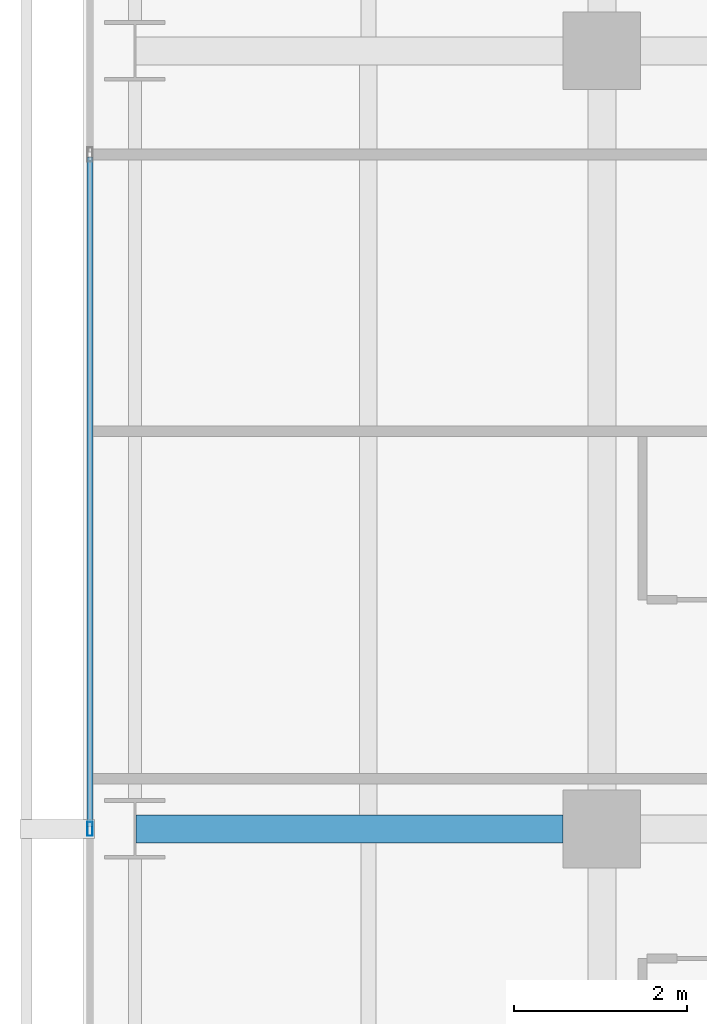
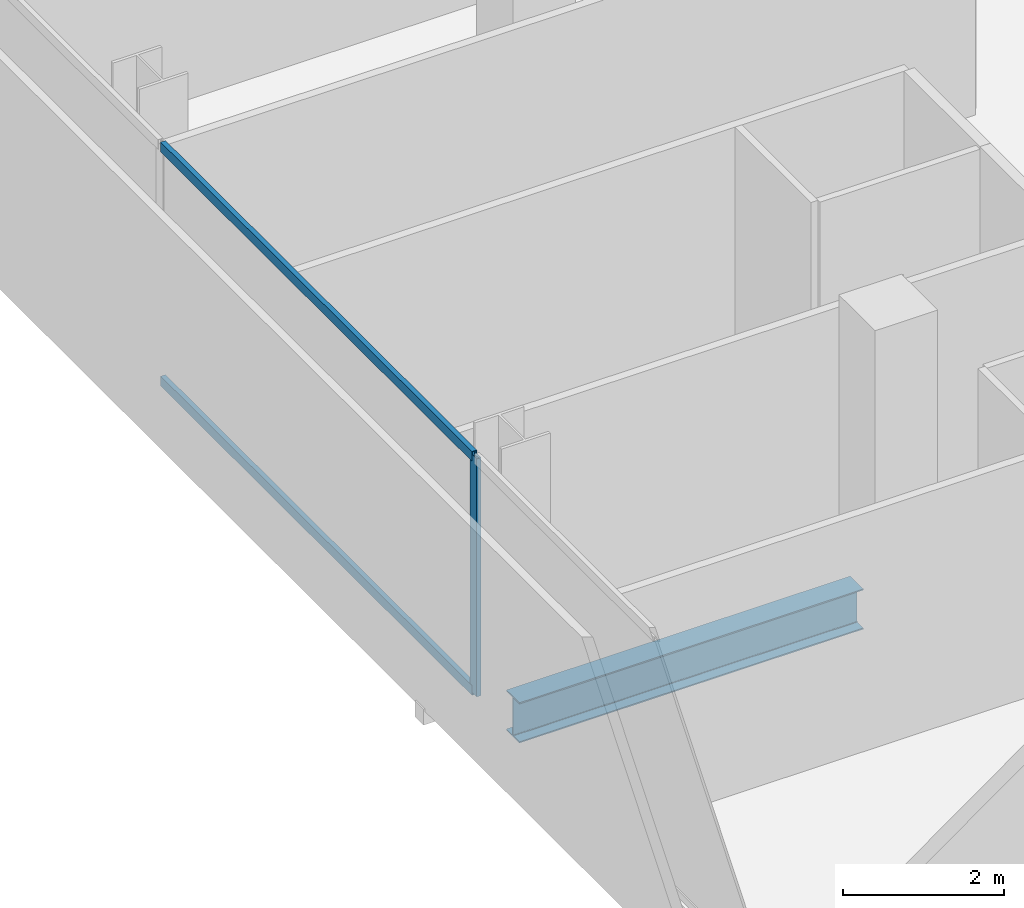
# One storey, part 12 of 40: 3 members, 1 beam, 1 element without a shape of its own.
"""IFC4 building model written with IfcOpenShell, lengths in metres."""

from ifc_helpers import new_model, si_unit, direction, frame, origin, origin_2d, place, context, subcontext, project, spatial, hollow_rectangle, i_section, extrude, material, layer, layer_set, material_profile, profile_set, type_object, element, aggregate, save


model = new_model("IFC4")

# Units and contexts
model_context = context("Model", 3, precision=1e-05, world=origin(), true_north=direction((0.0, 1.0)))
body_context = subcontext(model_context, "Body", "Model", "MODEL_VIEW")
ifc_project = project(units=[si_unit("LENGTHUNIT", "METRE"), si_unit("AREAUNIT", "SQUARE_METRE"), si_unit("VOLUMEUNIT", "CUBIC_METRE"), si_unit("PLANEANGLEUNIT", "RADIAN"), si_unit("MASSUNIT", "GRAM", prefix="KILO")], contexts=[model_context])

# Site, building, storey
site_placement = place(None, origin())
site = spatial("IfcSite", under=ifc_project, at=site_placement, CompositionType="ELEMENT")
building_placement = place(site_placement, origin())
building = spatial("IfcBuilding", under=site, at=building_placement, Name="Maruvema Waterfront Hotel and Observation Tower", CompositionType="ELEMENT")
storey_placement = place(building_placement, frame((0.0, 0.0, 77.0)))
storey = spatial("IfcBuildingStorey", under=building, at=storey_placement, Name="L18", CompositionType="ELEMENT", Elevation=77.0)

# Curtain wall, members
ifc_material_1 = material(Name="Anodised bronze aluminium and solar-control low-E IGU", Category="aluminium")
ifc_layer = layer(ifc_material_1, 0.159912109375, Name="Zone 1 Bronze Inner Thermal Curtain Wall System CW-02")
ifc_layer_set = layer_set([ifc_layer], Name="Anodised bronze aluminium and solar-control low-E IGU")
curtain_wall_type = type_object("IfcCurtainWallType", Name="Zone 1 Bronze Inner Thermal Curtain Wall System CW-02", PredefinedType="USERDEFINED", material=ifc_layer_set)
curtain_wall_placement = place(storey_placement, origin())
curtain_wall = element("IfcCurtainWall", 1, at=curtain_wall_placement, inside=storey, type_object=curtain_wall_type, Name="L18 Curtain Wall CW-L18-W", ObjectType="UNITISED CURTAIN WALL", PredefinedType="USERDEFINED")
ifc_material_2 = material(Name="Anodised architectural bronze aluminium", Category="aluminium")
ifc_material_profile_1 = material_profile(ifc_material_2, hollow_rectangle(XDim=0.070068359375, YDim=0.14990234375, WallThickness=0.00390625, at=origin_2d()), Name="ALU-T70x150")
ifc_profile_set_1 = profile_set([ifc_material_profile_1], Name="Anodised architectural bronze aluminium")
member_type_1 = type_object("IfcMemberType", Name="Curtain Wall Horizontal Transom ALU-T70x150", PredefinedType="USERDEFINED", material=ifc_profile_set_1)
member_1_placement = place(storey_placement, frame((10.8798828125, 34.77001953125, 0.030029296875), z_axis=(0.0, -1.0, 0.0), x_axis=(1.0, 0.0, 0.0)))
member_1 = element("IfcMember", 2, at=member_1_placement, type_object=member_type_1, Name="CW-02 transom 3.1", ObjectType="TRANSOM", PredefinedType="USERDEFINED", context=body_context, shape_type="SweptSolid", body=[
    extrude(hollow_rectangle(XDim=0.070068359375, YDim=0.14990234375, WallThickness=0.00390625, at=origin_2d()), origin(), (0.0, 0.0, 1.0), 7.739990234375),
])
member_2_placement = place(storey_placement, frame((10.8798828125, 34.77001953125, 3.580078125), z_axis=(0.0, -1.0, 0.0), x_axis=(1.0, 0.0, 0.0)))
member_2 = element("IfcMember", 3, at=member_2_placement, type_object=member_type_1, Name="CW-02 transom 3.2", ObjectType="TRANSOM", PredefinedType="USERDEFINED", context=body_context, shape_type="SweptSolid", body=[
    extrude(hollow_rectangle(XDim=0.070068359375, YDim=0.14990234375, WallThickness=0.00390625, at=origin_2d()), origin(), (0.0, 0.0, 1.0), 7.739990234375),
])
ifc_material_3 = material(Name="Anodised architectural bronze aluminium", Category="aluminium")
ifc_material_profile_2 = material_profile(ifc_material_3, hollow_rectangle(XDim=0.06494140625, YDim=0.1650390625, WallThickness=0.00390625, at=origin_2d()), Name="ALU-M65x165")
ifc_profile_set_2 = profile_set([ifc_material_profile_2], Name="Anodised architectural bronze aluminium")
member_type_2 = type_object("IfcMemberType", Name="Curtain Wall Primary Mullion ALU-M65x165", PredefinedType="MULLION", material=ifc_profile_set_2)
member_3_placement = place(storey_placement, frame((10.8798828125, 27.0, 0.0), z_axis=(0.0, 0.0, 1.0), x_axis=(1.0, 0.0, 0.0)))
member_3 = element("IfcMember", 4, at=member_3_placement, type_object=member_type_2, Name="CW-02 mullion 4", PredefinedType="MULLION", context=body_context, shape_type="SweptSolid", body=[
    extrude(hollow_rectangle(XDim=0.06494140625, YDim=0.1650390625, WallThickness=0.00390625, at=origin_2d()), origin(), (0.0, 0.0, 1.0), 3.610107421875),
])
aggregate(curtain_wall, [member_3, member_1, member_2])

# Beam
ifc_material_4 = material(Name="Steel ASTM A572 Grade 50", Category="steel")
ifc_material_profile_3 = material_profile(ifc_material_4, i_section(OverallWidth=0.323974609375, OverallDepth=0.611083984375, WebThickness=0.0126953125, FlangeThickness=0.01904296875, FilletRadius=0.01806640625, at=origin_2d()), Name="W610x155.0")
ifc_profile_set_3 = profile_set([ifc_material_profile_3], Name="Steel ASTM A572 Grade 50")
beam_type = type_object("IfcBeamType", Name="Primary Floor Girder W610x155.0", PredefinedType="BEAM", material=ifc_profile_set_3)
beam_placement = place(storey_placement, frame((11.4140625, 27.0, -0.54541015625), z_axis=(1.0, 0.0, 0.0), x_axis=(0.0, 1.0, 0.0)))
element("IfcBeam", 5, at=beam_placement, inside=storey, type_object=beam_type, Name="L18 Floor Girder EW-20", PredefinedType="BEAM", context=body_context, shape_type="SweptSolid", body=[
    extrude(i_section(OverallWidth=0.323974609375, OverallDepth=0.611083984375, WebThickness=0.0126953125, FlangeThickness=0.01904296875, FilletRadius=0.01806640625, at=origin_2d()), origin(), (0.0, 0.0, 1.0), 4.93603515625),
])

save(model, "model.ifc")
